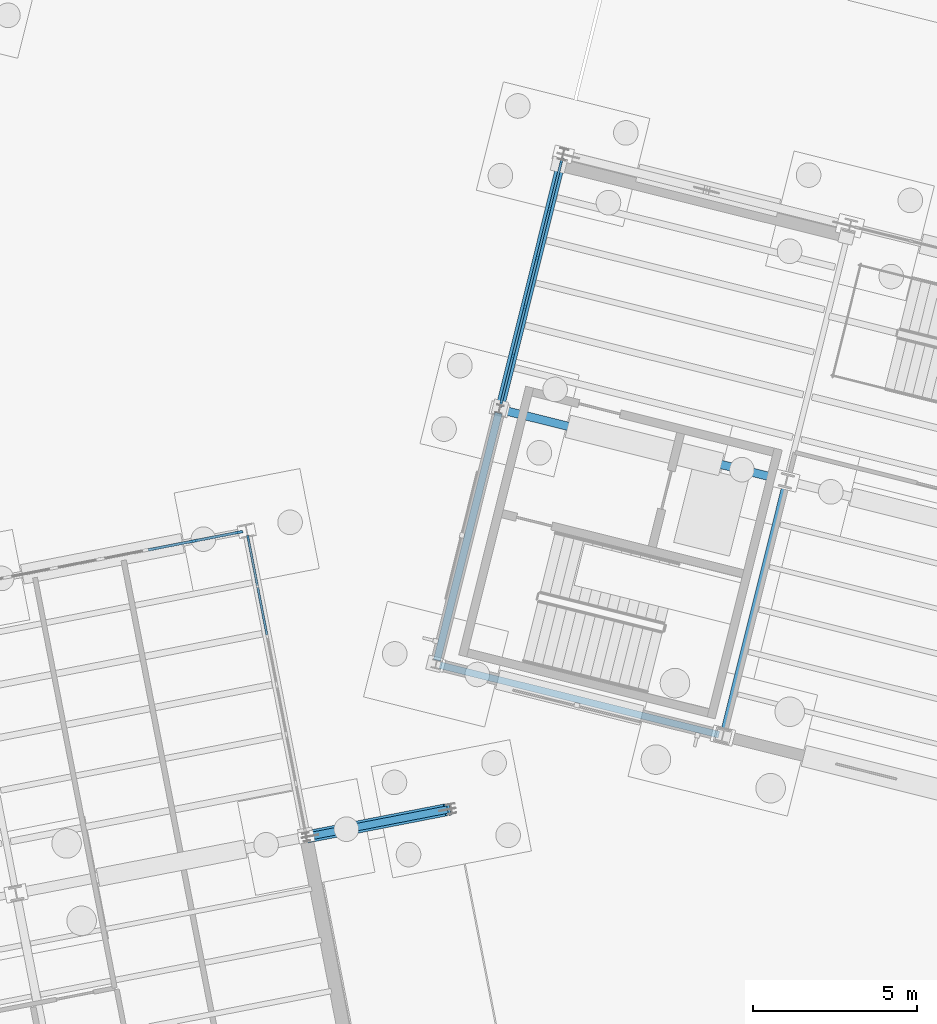
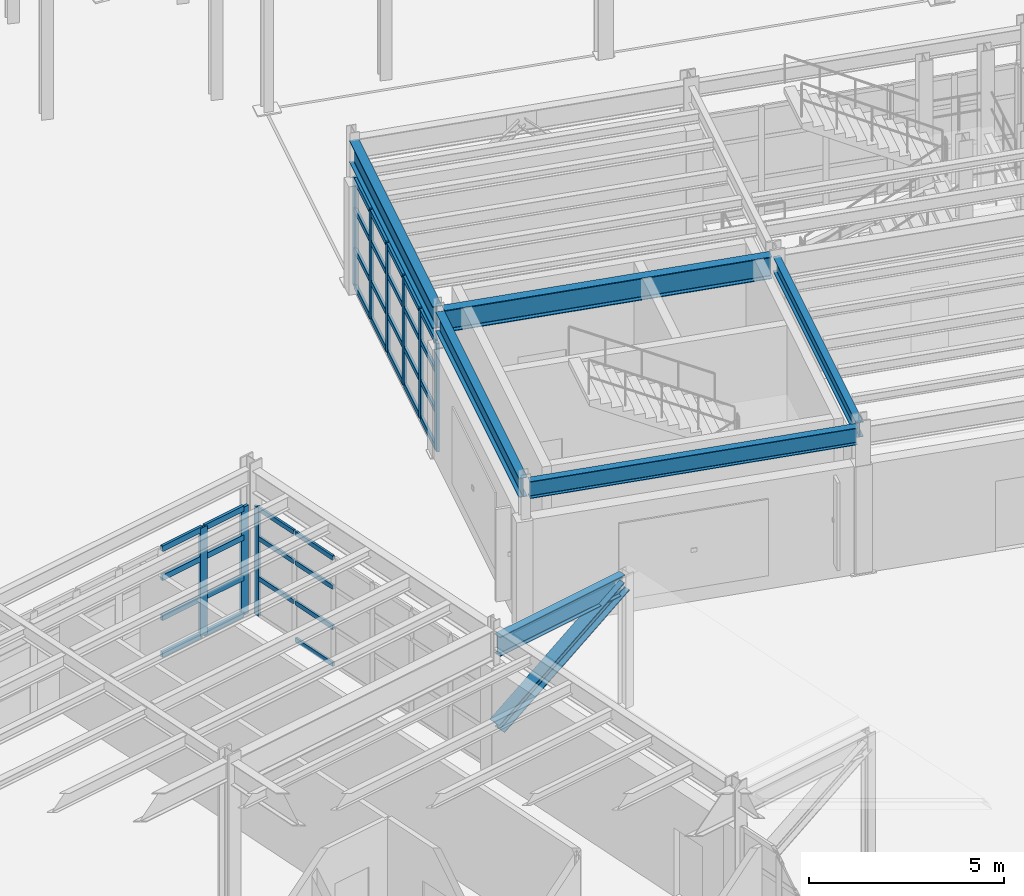
# One storey, part 39 of 108: 45 members, 6 beams, 3 elements without a shape of their own.
"""IFC4 building model written with IfcOpenShell, lengths in metres."""

from ifc_helpers import new_model, si_unit, direction, frame, origin, origin_2d, place, context, subcontext, project, spatial, rectangle, i_section, extrude, material, layer, layer_set, material_profile, profile_set, type_object, element, aggregate, save


model = new_model("IFC4")

# Units and contexts
model_context = context("Model", 3, precision=1e-05, world=origin(), true_north=direction((0.0, 1.0)))
body_context = subcontext(model_context, "Body", "Model", "MODEL_VIEW")
ifc_project = project(units=[si_unit("LENGTHUNIT", "METRE"), si_unit("AREAUNIT", "SQUARE_METRE"), si_unit("VOLUMEUNIT", "CUBIC_METRE"), si_unit("PLANEANGLEUNIT", "RADIAN"), si_unit("MASSUNIT", "GRAM", prefix="KILO")], contexts=[model_context])

# Site, building, storey
site_placement = place(None, origin())
site = spatial("IfcSite", under=ifc_project, at=site_placement, CompositionType="ELEMENT")
building_placement = place(site_placement, origin())
building = spatial("IfcBuilding", under=site, at=building_placement, Name="Vireo Bluff Cable Station", CompositionType="ELEMENT")
storey_placement = place(building_placement, origin())
storey = spatial("IfcBuildingStorey", under=building, at=storey_placement, Name="L00", CompositionType="ELEMENT", Elevation=0.0)

# Beam
ifc_material_1 = material(Name="Steel ASTM A992 Gr. 50", Category="steel")
ifc_material_profile_1 = material_profile(ifc_material_1, i_section(OverallWidth=0.193115234375, OverallDepth=0.467041015625, WebThickness=0.011474609375, FlangeThickness=0.01904296875, FilletRadius=0.011962890625, at=origin_2d()), Name="W18X65")
ifc_profile_set_1 = profile_set([ifc_material_profile_1], Name="Steel ASTM A992 Gr. 50")
beam_type_1 = type_object("IfcBeamType", Name="BM-W18X65", PredefinedType="BEAM", material=ifc_profile_set_1)
beam_1_placement = place(storey_placement, frame((62.76171875, 35.939208984375, 4.306396484375), z_axis=(0.241906346953, 0.970299602857, 0.0), x_axis=(-0.970299602857, 0.241906346953, 0.0)))
element("IfcBeam", 1, at=beam_1_placement, inside=storey, type_object=beam_type_1, Name="V1 L00 beam 12", PredefinedType="BEAM", context=body_context, shape_type="SweptSolid", body=[
    extrude(i_section(OverallWidth=0.193115234375, OverallDepth=0.467041015625, WebThickness=0.011474609375, FlangeThickness=0.01904296875, FilletRadius=0.011962890625, at=origin_2d()), origin(), (0.0, 0.0, 1.0), 7.760009765625),
])

# Curtain wall, member
ifc_material_2 = material(Name="Anodized Aluminium 6063-T6", Category="aluminium")
ifc_layer_1 = layer(ifc_material_2, 0.179931640625, Name="Anodized Aluminium 6063-T6")
ifc_layer_set_1 = layer_set([ifc_layer_1], Name="Anodized Aluminium 6063-T6")
curtain_wall_type_1 = type_object("IfcCurtainWallType", Name="CW-UNIT-1650", PredefinedType="USERDEFINED", material=ifc_layer_set_1)
curtain_wall_1_placement = place(storey_placement, origin())
curtain_wall_1 = element("IfcCurtainWall", 2, at=curtain_wall_1_placement, inside=storey, type_object=curtain_wall_type_1, Name="V5 L00 east curtain wall CW-116", ObjectType="UNITISED CURTAIN WALL", PredefinedType="USERDEFINED")
ifc_material_profile_2 = material_profile(ifc_material_2, rectangle(XDim=0.06494140625, YDim=0.179931640625, at=origin_2d()), Name="ALU-M-65X180")
ifc_profile_set_2 = profile_set([ifc_material_profile_2], Name="Anodized Aluminium 6063-T6")
member_type_1 = type_object("IfcMemberType", Name="CWM-01", PredefinedType="MULLION", material=ifc_profile_set_2)
member_1_placement = place(storey_placement, frame((48.27978515625, 41.8330078125, 0.0), z_axis=(0.0, 0.0, 1.0), x_axis=(0.981627180714, 0.190809009442, 0.0)))
member_1 = element("IfcMember", 3, at=member_1_placement, type_object=member_type_1, Name="CW-116 mullion 1", PredefinedType="MULLION", context=body_context, shape_type="SweptSolid", body=[
    extrude(rectangle(XDim=0.06494140625, YDim=0.179931640625, at=origin_2d()), origin(), (0.0, 0.0, 1.0), 3.39990234375),
])

# Curtain wall, members
ifc_layer_2 = layer(ifc_material_2, 0.179931640625, Name="Anodized Aluminium 6063-T6")
ifc_layer_set_2 = layer_set([ifc_layer_2], Name="Anodized Aluminium 6063-T6")
curtain_wall_type_2 = type_object("IfcCurtainWallType", Name="CW-UNIT-1500", PredefinedType="USERDEFINED", material=ifc_layer_set_2)
curtain_wall_2_placement = place(storey_placement, origin())
curtain_wall_2 = element("IfcCurtainWall", 4, at=curtain_wall_2_placement, inside=storey, type_object=curtain_wall_type_2, Name="V1 L00 west curtain wall CW-001", ObjectType="UNITISED CURTAIN WALL", PredefinedType="USERDEFINED")
ifc_material_profile_3 = material_profile(ifc_material_2, rectangle(XDim=0.074951171875, YDim=0.2099609375, at=origin_2d()), Name="ALU-M-75X210")
ifc_profile_set_3 = profile_set([ifc_material_profile_3], Name="Anodized Aluminium 6063-T6")
member_type_2 = type_object("IfcMemberType", Name="CWM-02", PredefinedType="MULLION", material=ifc_profile_set_3)
member_2_placement = place(storey_placement, frame((55.97607421875, 45.92529296875, 0.0), z_axis=(0.0, 0.0, 1.0), x_axis=(-0.970295739737, 0.241921841611, 0.0)))
member_2 = element("IfcMember", 5, at=member_2_placement, type_object=member_type_2, Name="CW-001 mullion 1", PredefinedType="MULLION", context=body_context, shape_type="SweptSolid", body=[
    extrude(rectangle(XDim=0.074951171875, YDim=0.2099609375, at=origin_2d()), origin(), (0.0, 0.0, 1.0), 3.39990234375),
])
member_3_placement = place(storey_placement, frame((56.339111328125, 47.381591796875, 0.0), z_axis=(0.0, 0.0, 1.0), x_axis=(-0.970295739737, 0.241921841611, 0.0)))
member_3 = element("IfcMember", 6, at=member_3_placement, type_object=member_type_2, Name="CW-001 mullion 2", PredefinedType="MULLION", context=body_context, shape_type="SweptSolid", body=[
    extrude(rectangle(XDim=0.074951171875, YDim=0.2099609375, at=origin_2d()), origin(), (0.0, 0.0, 1.0), 3.39990234375),
])
member_4_placement = place(storey_placement, frame((56.711181640625, 48.8740234375, 0.0), z_axis=(0.0, 0.0, 1.0), x_axis=(-0.970295739737, 0.241921841611, 0.0)))
member_4 = element("IfcMember", 7, at=member_4_placement, type_object=member_type_2, Name="CW-001 mullion 3", PredefinedType="MULLION", context=body_context, shape_type="SweptSolid", body=[
    extrude(rectangle(XDim=0.074951171875, YDim=0.2099609375, at=origin_2d()), origin(), (0.0, 0.0, 1.0), 3.39990234375),
])
member_5_placement = place(storey_placement, frame((57.083251953125, 50.366455078125, 0.0), z_axis=(0.0, 0.0, 1.0), x_axis=(-0.970295739737, 0.241921841611, 0.0)))
member_5 = element("IfcMember", 8, at=member_5_placement, type_object=member_type_2, Name="CW-001 mullion 4", PredefinedType="MULLION", context=body_context, shape_type="SweptSolid", body=[
    extrude(rectangle(XDim=0.074951171875, YDim=0.2099609375, at=origin_2d()), origin(), (0.0, 0.0, 1.0), 3.39990234375),
])
member_6_placement = place(storey_placement, frame((57.455322265625, 51.859130859375, 0.0), z_axis=(0.0, 0.0, 1.0), x_axis=(-0.970295739737, 0.241921841611, 0.0)))
member_6 = element("IfcMember", 9, at=member_6_placement, type_object=member_type_2, Name="CW-001 mullion 5", PredefinedType="MULLION", context=body_context, shape_type="SweptSolid", body=[
    extrude(rectangle(XDim=0.074951171875, YDim=0.2099609375, at=origin_2d()), origin(), (0.0, 0.0, 1.0), 3.39990234375),
])
member_7_placement = place(storey_placement, frame((57.818603515625, 53.315185546875, 0.0), z_axis=(0.0, 0.0, 1.0), x_axis=(-0.970295739737, 0.241921841611, 0.0)))
member_7 = element("IfcMember", 10, at=member_7_placement, type_object=member_type_2, Name="CW-001 mullion 6", PredefinedType="MULLION", context=body_context, shape_type="SweptSolid", body=[
    extrude(rectangle(XDim=0.074951171875, YDim=0.2099609375, at=origin_2d()), origin(), (0.0, 0.0, 1.0), 3.39990234375),
])

curtain_wall_3_placement = place(storey_placement, origin())
curtain_wall_3 = element("IfcCurtainWall", 11, at=curtain_wall_3_placement, inside=storey, type_object=curtain_wall_type_2, Name="V5 L00 north curtain wall CW-115", ObjectType="UNITISED CURTAIN WALL", PredefinedType="USERDEFINED")
ifc_material_profile_4 = material_profile(ifc_material_2, rectangle(XDim=0.080078125, YDim=0.239990234375, at=origin_2d()), Name="ALU-M-80X240")
ifc_profile_set_4 = profile_set([ifc_material_profile_4], Name="Anodized Aluminium 6063-T6")
member_type_3 = type_object("IfcMemberType", Name="CWM-04", PredefinedType="MULLION", material=ifc_profile_set_4)
member_8_placement = place(storey_placement, frame((46.618408203125, 41.74853515625, 0.0), z_axis=(0.0, 0.0, 1.0), x_axis=(-0.190809061234, 0.981627170646, 0.0)))
member_8 = element("IfcMember", 12, at=member_8_placement, type_object=member_type_3, Name="CW-115 mullion 6", PredefinedType="MULLION", context=body_context, shape_type="SweptSolid", body=[
    extrude(rectangle(XDim=0.080078125, YDim=0.239990234375, at=origin_2d()), origin(), (0.0, 0.0, 1.0), 3.39990234375),
])
member_9_placement = place(storey_placement, frame((47.9970703125, 42.0166015625, 0.0), z_axis=(0.0, 0.0, 1.0), x_axis=(-0.190809061234, 0.981627170646, 0.0)))
member_9 = element("IfcMember", 13, at=member_9_placement, type_object=member_type_3, Name="CW-115 mullion 7", PredefinedType="MULLION", context=body_context, shape_type="SweptSolid", body=[
    extrude(rectangle(XDim=0.080078125, YDim=0.239990234375, at=origin_2d()), origin(), (0.0, 0.0, 1.0), 3.39990234375),
])

# Member
ifc_material_profile_5 = material_profile(ifc_material_2, rectangle(XDim=0.06494140625, YDim=0.139892578125, at=origin_2d()), Name="ALU-T-65X140")
ifc_profile_set_5 = profile_set([ifc_material_profile_5], Name="Anodized Aluminium 6063-T6")
member_type_4 = type_object("IfcMemberType", Name="CWT-01", PredefinedType="USERDEFINED", material=ifc_profile_set_5)
member_10_placement = place(storey_placement, frame((48.2861328125, 41.80126953125, 1.18994140625), z_axis=(0.190796573453, -0.981629597943, 0.0), x_axis=(0.981629597943, 0.190796573453, 0.0)))
member_10 = element("IfcMember", 14, at=member_10_placement, type_object=member_type_4, Name="CW-116 transom 1.2", ObjectType="TRANSOM", PredefinedType="USERDEFINED", context=body_context, shape_type="SweptSolid", body=[
    extrude(rectangle(XDim=0.06494140625, YDim=0.139892578125, at=origin_2d()), origin(), (0.0, 0.0, 1.0), 1.4306640625),
])

member_11_placement = place(storey_placement, frame((48.2861328125, 41.80126953125, 2.447998046875), z_axis=(0.190796573453, -0.981629597943, 0.0), x_axis=(0.981629597943, 0.190796573453, 0.0)))
member_11 = element("IfcMember", 15, at=member_11_placement, type_object=member_type_4, Name="CW-116 transom 1.3", ObjectType="TRANSOM", PredefinedType="USERDEFINED", context=body_context, shape_type="SweptSolid", body=[
    extrude(rectangle(XDim=0.06494140625, YDim=0.139892578125, at=origin_2d()), origin(), (0.0, 0.0, 1.0), 1.4306640625),
])

member_12_placement = place(storey_placement, frame((48.2861328125, 41.80126953125, 3.367431640625), z_axis=(0.190796573453, -0.981629597943, 0.0), x_axis=(0.981629597943, 0.190796573453, 0.0)))
member_12 = element("IfcMember", 16, at=member_12_placement, type_object=member_type_4, Name="CW-116 transom 1.4", ObjectType="TRANSOM", PredefinedType="USERDEFINED", context=body_context, shape_type="SweptSolid", body=[
    extrude(rectangle(XDim=0.06494140625, YDim=0.139892578125, at=origin_2d()), origin(), (0.0, 0.0, 1.0), 1.4306640625),
])

member_13_placement = place(storey_placement, frame((48.5712890625, 40.333251953125, 0.032470703125), z_axis=(0.190883057173, -0.981612784393, 0.0), x_axis=(0.981612784393, 0.190883057173, 0.0)))
member_13 = element("IfcMember", 17, at=member_13_placement, type_object=member_type_4, Name="CW-116 transom 2.1", ObjectType="TRANSOM", PredefinedType="USERDEFINED", context=body_context, shape_type="SweptSolid", body=[
    extrude(rectangle(XDim=0.06494140625, YDim=0.139892578125, at=origin_2d()), origin(), (0.0, 0.0, 1.0), 1.463134765625),
])

member_14_placement = place(storey_placement, frame((48.5712890625, 40.333251953125, 1.18994140625), z_axis=(0.190883057173, -0.981612784393, 0.0), x_axis=(0.981612784393, 0.190883057173, 0.0)))
member_14 = element("IfcMember", 18, at=member_14_placement, type_object=member_type_4, Name="CW-116 transom 2.2", ObjectType="TRANSOM", PredefinedType="USERDEFINED", context=body_context, shape_type="SweptSolid", body=[
    extrude(rectangle(XDim=0.06494140625, YDim=0.139892578125, at=origin_2d()), origin(), (0.0, 0.0, 1.0), 1.463134765625),
])

member_15_placement = place(storey_placement, frame((48.5712890625, 40.333251953125, 2.447998046875), z_axis=(0.190883057173, -0.981612784393, 0.0), x_axis=(0.981612784393, 0.190883057173, 0.0)))
member_15 = element("IfcMember", 19, at=member_15_placement, type_object=member_type_4, Name="CW-116 transom 2.3", ObjectType="TRANSOM", PredefinedType="USERDEFINED", context=body_context, shape_type="SweptSolid", body=[
    extrude(rectangle(XDim=0.06494140625, YDim=0.139892578125, at=origin_2d()), origin(), (0.0, 0.0, 1.0), 1.463134765625),
])

member_16_placement = place(storey_placement, frame((48.5712890625, 40.333251953125, 3.367431640625), z_axis=(0.190883057173, -0.981612784393, 0.0), x_axis=(0.981612784393, 0.190883057173, 0.0)))
member_16 = element("IfcMember", 20, at=member_16_placement, type_object=member_type_4, Name="CW-116 transom 2.4", ObjectType="TRANSOM", PredefinedType="USERDEFINED", context=body_context, shape_type="SweptSolid", body=[
    extrude(rectangle(XDim=0.06494140625, YDim=0.139892578125, at=origin_2d()), origin(), (0.0, 0.0, 1.0), 1.463134765625),
])

aggregate(curtain_wall_1, [member_1, member_10, member_11, member_12, member_13, member_14, member_15, member_16])

ifc_material_profile_6 = material_profile(ifc_material_2, rectangle(XDim=0.074951171875, YDim=0.159912109375, at=origin_2d()), Name="ALU-T-75X160")
ifc_profile_set_6 = profile_set([ifc_material_profile_6], Name="Anodized Aluminium 6063-T6")
member_type_5 = type_object("IfcMemberType", Name="CWT-02", PredefinedType="USERDEFINED", material=ifc_profile_set_6)
member_17_placement = place(storey_placement, frame((55.985107421875, 45.961669921875, 0.03759765625), z_axis=(0.24193127855, 0.970293386796, 0.0), x_axis=(-0.970293386796, 0.24193127855, 0.0)))
member_17 = element("IfcMember", 21, at=member_17_placement, type_object=member_type_5, Name="CW-001 transom 1.1", ObjectType="TRANSOM", PredefinedType="USERDEFINED", context=body_context, shape_type="SweptSolid", body=[
    extrude(rectangle(XDim=0.074951171875, YDim=0.159912109375, at=origin_2d()), origin(), (0.0, 0.0, 1.0), 1.426025390625),
])

member_18_placement = place(storey_placement, frame((55.985107421875, 45.961669921875, 1.18994140625), z_axis=(0.24193127855, 0.970293386796, 0.0), x_axis=(-0.970293386796, 0.24193127855, 0.0)))
member_18 = element("IfcMember", 22, at=member_18_placement, type_object=member_type_5, Name="CW-001 transom 1.2", ObjectType="TRANSOM", PredefinedType="USERDEFINED", context=body_context, shape_type="SweptSolid", body=[
    extrude(rectangle(XDim=0.074951171875, YDim=0.159912109375, at=origin_2d()), origin(), (0.0, 0.0, 1.0), 1.426025390625),
])

member_19_placement = place(storey_placement, frame((55.985107421875, 45.961669921875, 2.447998046875), z_axis=(0.24193127855, 0.970293386796, 0.0), x_axis=(-0.970293386796, 0.24193127855, 0.0)))
member_19 = element("IfcMember", 23, at=member_19_placement, type_object=member_type_5, Name="CW-001 transom 1.3", ObjectType="TRANSOM", PredefinedType="USERDEFINED", context=body_context, shape_type="SweptSolid", body=[
    extrude(rectangle(XDim=0.074951171875, YDim=0.159912109375, at=origin_2d()), origin(), (0.0, 0.0, 1.0), 1.426025390625),
])

member_20_placement = place(storey_placement, frame((55.985107421875, 45.961669921875, 3.362548828125), z_axis=(0.24193127855, 0.970293386796, 0.0), x_axis=(-0.970293386796, 0.24193127855, 0.0)))
member_20 = element("IfcMember", 24, at=member_20_placement, type_object=member_type_5, Name="CW-001 transom 1.4", ObjectType="TRANSOM", PredefinedType="USERDEFINED", context=body_context, shape_type="SweptSolid", body=[
    extrude(rectangle(XDim=0.074951171875, YDim=0.159912109375, at=origin_2d()), origin(), (0.0, 0.0, 1.0), 1.426025390625),
])

member_21_placement = place(storey_placement, frame((56.34814453125, 47.41796875, 0.03759765625), z_axis=(0.241946663521, 0.970289550604, 0.0), x_axis=(-0.970289550604, 0.241946663521, 0.0)))
member_21 = element("IfcMember", 25, at=member_21_placement, type_object=member_type_5, Name="CW-001 transom 2.1", ObjectType="TRANSOM", PredefinedType="USERDEFINED", context=body_context, shape_type="SweptSolid", body=[
    extrude(rectangle(XDim=0.074951171875, YDim=0.159912109375, at=origin_2d()), origin(), (0.0, 0.0, 1.0), 1.463134765625),
])

member_22_placement = place(storey_placement, frame((56.34814453125, 47.41796875, 1.18994140625), z_axis=(0.241946663521, 0.970289550604, 0.0), x_axis=(-0.970289550604, 0.241946663521, 0.0)))
member_22 = element("IfcMember", 26, at=member_22_placement, type_object=member_type_5, Name="CW-001 transom 2.2", ObjectType="TRANSOM", PredefinedType="USERDEFINED", context=body_context, shape_type="SweptSolid", body=[
    extrude(rectangle(XDim=0.074951171875, YDim=0.159912109375, at=origin_2d()), origin(), (0.0, 0.0, 1.0), 1.463134765625),
])

member_23_placement = place(storey_placement, frame((56.34814453125, 47.41796875, 2.447998046875), z_axis=(0.241946663521, 0.970289550604, 0.0), x_axis=(-0.970289550604, 0.241946663521, 0.0)))
member_23 = element("IfcMember", 27, at=member_23_placement, type_object=member_type_5, Name="CW-001 transom 2.3", ObjectType="TRANSOM", PredefinedType="USERDEFINED", context=body_context, shape_type="SweptSolid", body=[
    extrude(rectangle(XDim=0.074951171875, YDim=0.159912109375, at=origin_2d()), origin(), (0.0, 0.0, 1.0), 1.463134765625),
])

member_24_placement = place(storey_placement, frame((56.34814453125, 47.41796875, 3.362548828125), z_axis=(0.241946663521, 0.970289550604, 0.0), x_axis=(-0.970289550604, 0.241946663521, 0.0)))
member_24 = element("IfcMember", 28, at=member_24_placement, type_object=member_type_5, Name="CW-001 transom 2.4", ObjectType="TRANSOM", PredefinedType="USERDEFINED", context=body_context, shape_type="SweptSolid", body=[
    extrude(rectangle(XDim=0.074951171875, YDim=0.159912109375, at=origin_2d()), origin(), (0.0, 0.0, 1.0), 1.463134765625),
])

member_25_placement = place(storey_placement, frame((56.72021484375, 48.910400390625, 0.03759765625), z_axis=(0.241946663521, 0.970289550604, 0.0), x_axis=(-0.970289550604, 0.241946663521, 0.0)))
member_25 = element("IfcMember", 29, at=member_25_placement, type_object=member_type_5, Name="CW-001 transom 3.1", ObjectType="TRANSOM", PredefinedType="USERDEFINED", context=body_context, shape_type="SweptSolid", body=[
    extrude(rectangle(XDim=0.074951171875, YDim=0.159912109375, at=origin_2d()), origin(), (0.0, 0.0, 1.0), 1.463134765625),
])

member_26_placement = place(storey_placement, frame((56.72021484375, 48.910400390625, 1.18994140625), z_axis=(0.241946663521, 0.970289550604, 0.0), x_axis=(-0.970289550604, 0.241946663521, 0.0)))
member_26 = element("IfcMember", 30, at=member_26_placement, type_object=member_type_5, Name="CW-001 transom 3.2", ObjectType="TRANSOM", PredefinedType="USERDEFINED", context=body_context, shape_type="SweptSolid", body=[
    extrude(rectangle(XDim=0.074951171875, YDim=0.159912109375, at=origin_2d()), origin(), (0.0, 0.0, 1.0), 1.463134765625),
])

member_27_placement = place(storey_placement, frame((56.72021484375, 48.910400390625, 2.447998046875), z_axis=(0.241946663521, 0.970289550604, 0.0), x_axis=(-0.970289550604, 0.241946663521, 0.0)))
member_27 = element("IfcMember", 31, at=member_27_placement, type_object=member_type_5, Name="CW-001 transom 3.3", ObjectType="TRANSOM", PredefinedType="USERDEFINED", context=body_context, shape_type="SweptSolid", body=[
    extrude(rectangle(XDim=0.074951171875, YDim=0.159912109375, at=origin_2d()), origin(), (0.0, 0.0, 1.0), 1.463134765625),
])

member_28_placement = place(storey_placement, frame((56.72021484375, 48.910400390625, 3.362548828125), z_axis=(0.241946663521, 0.970289550604, 0.0), x_axis=(-0.970289550604, 0.241946663521, 0.0)))
member_28 = element("IfcMember", 32, at=member_28_placement, type_object=member_type_5, Name="CW-001 transom 3.4", ObjectType="TRANSOM", PredefinedType="USERDEFINED", context=body_context, shape_type="SweptSolid", body=[
    extrude(rectangle(XDim=0.074951171875, YDim=0.159912109375, at=origin_2d()), origin(), (0.0, 0.0, 1.0), 1.463134765625),
])

member_29_placement = place(storey_placement, frame((57.09228515625, 50.40283203125, 0.03759765625), z_axis=(0.241907497946, 0.970299315901, 0.0), x_axis=(-0.970299315901, 0.241907497946, 0.0)))
member_29 = element("IfcMember", 33, at=member_29_placement, type_object=member_type_5, Name="CW-001 transom 4.1", ObjectType="TRANSOM", PredefinedType="USERDEFINED", context=body_context, shape_type="SweptSolid", body=[
    extrude(rectangle(XDim=0.074951171875, YDim=0.159912109375, at=origin_2d()), origin(), (0.0, 0.0, 1.0), 1.46337890625),
])

member_30_placement = place(storey_placement, frame((57.09228515625, 50.40283203125, 1.18994140625), z_axis=(0.241907497946, 0.970299315901, 0.0), x_axis=(-0.970299315901, 0.241907497946, 0.0)))
member_30 = element("IfcMember", 34, at=member_30_placement, type_object=member_type_5, Name="CW-001 transom 4.2", ObjectType="TRANSOM", PredefinedType="USERDEFINED", context=body_context, shape_type="SweptSolid", body=[
    extrude(rectangle(XDim=0.074951171875, YDim=0.159912109375, at=origin_2d()), origin(), (0.0, 0.0, 1.0), 1.46337890625),
])

member_31_placement = place(storey_placement, frame((57.09228515625, 50.40283203125, 2.447998046875), z_axis=(0.241907497946, 0.970299315901, 0.0), x_axis=(-0.970299315901, 0.241907497946, 0.0)))
member_31 = element("IfcMember", 35, at=member_31_placement, type_object=member_type_5, Name="CW-001 transom 4.3", ObjectType="TRANSOM", PredefinedType="USERDEFINED", context=body_context, shape_type="SweptSolid", body=[
    extrude(rectangle(XDim=0.074951171875, YDim=0.159912109375, at=origin_2d()), origin(), (0.0, 0.0, 1.0), 1.46337890625),
])

member_32_placement = place(storey_placement, frame((57.09228515625, 50.40283203125, 3.362548828125), z_axis=(0.241907497946, 0.970299315901, 0.0), x_axis=(-0.970299315901, 0.241907497946, 0.0)))
member_32 = element("IfcMember", 36, at=member_32_placement, type_object=member_type_5, Name="CW-001 transom 4.4", ObjectType="TRANSOM", PredefinedType="USERDEFINED", context=body_context, shape_type="SweptSolid", body=[
    extrude(rectangle(XDim=0.074951171875, YDim=0.159912109375, at=origin_2d()), origin(), (0.0, 0.0, 1.0), 1.46337890625),
])

member_33_placement = place(storey_placement, frame((57.464599609375, 51.8955078125, 0.03759765625), z_axis=(0.241810247396, 0.970323556477, 0.0), x_axis=(-0.970323556477, 0.241810247396, 0.0)))
member_33 = element("IfcMember", 37, at=member_33_placement, type_object=member_type_5, Name="CW-001 transom 5.1", ObjectType="TRANSOM", PredefinedType="USERDEFINED", context=body_context, shape_type="SweptSolid", body=[
    extrude(rectangle(XDim=0.074951171875, YDim=0.159912109375, at=origin_2d()), origin(), (0.0, 0.0, 1.0), 1.425537109375),
])

member_34_placement = place(storey_placement, frame((57.464599609375, 51.8955078125, 1.18994140625), z_axis=(0.241810247396, 0.970323556477, 0.0), x_axis=(-0.970323556477, 0.241810247396, 0.0)))
member_34 = element("IfcMember", 38, at=member_34_placement, type_object=member_type_5, Name="CW-001 transom 5.2", ObjectType="TRANSOM", PredefinedType="USERDEFINED", context=body_context, shape_type="SweptSolid", body=[
    extrude(rectangle(XDim=0.074951171875, YDim=0.159912109375, at=origin_2d()), origin(), (0.0, 0.0, 1.0), 1.425537109375),
])

member_35_placement = place(storey_placement, frame((57.464599609375, 51.8955078125, 2.447998046875), z_axis=(0.241810247396, 0.970323556477, 0.0), x_axis=(-0.970323556477, 0.241810247396, 0.0)))
member_35 = element("IfcMember", 39, at=member_35_placement, type_object=member_type_5, Name="CW-001 transom 5.3", ObjectType="TRANSOM", PredefinedType="USERDEFINED", context=body_context, shape_type="SweptSolid", body=[
    extrude(rectangle(XDim=0.074951171875, YDim=0.159912109375, at=origin_2d()), origin(), (0.0, 0.0, 1.0), 1.425537109375),
])

member_36_placement = place(storey_placement, frame((57.464599609375, 51.8955078125, 3.362548828125), z_axis=(0.241810247396, 0.970323556477, 0.0), x_axis=(-0.970323556477, 0.241810247396, 0.0)))
member_36 = element("IfcMember", 40, at=member_36_placement, type_object=member_type_5, Name="CW-001 transom 5.4", ObjectType="TRANSOM", PredefinedType="USERDEFINED", context=body_context, shape_type="SweptSolid", body=[
    extrude(rectangle(XDim=0.074951171875, YDim=0.159912109375, at=origin_2d()), origin(), (0.0, 0.0, 1.0), 1.425537109375),
])

aggregate(curtain_wall_2, [member_2, member_3, member_4, member_5, member_6, member_7, member_17, member_18, member_19, member_20, member_21, member_22, member_23, member_24, member_25, member_26, member_27, member_28, member_29, member_30, member_31, member_32, member_33, member_34, member_35, member_36])

ifc_material_profile_7 = material_profile(ifc_material_2, rectangle(XDim=0.080078125, YDim=0.175048828125, at=origin_2d()), Name="ALU-T-80X175")
ifc_profile_set_7 = profile_set([ifc_material_profile_7], Name="Anodized Aluminium 6063-T6")
member_type_6 = type_object("IfcMemberType", Name="CWT-04", PredefinedType="USERDEFINED", material=ifc_profile_set_7)
member_37_placement = place(storey_placement, frame((45.23974609375, 41.48046875, 0.0400390625), z_axis=(0.981606076195, 0.190917550729, 0.0), x_axis=(-0.190917550729, 0.981606076195, 0.0)))
member_37 = element("IfcMember", 41, at=member_37_placement, type_object=member_type_6, Name="CW-115 transom 5.1", ObjectType="TRANSOM", PredefinedType="USERDEFINED", context=body_context, shape_type="SweptSolid", body=[
    extrude(rectangle(XDim=0.080078125, YDim=0.175048828125, at=origin_2d()), origin(), (0.0, 0.0, 1.0), 1.364501953125),
])

member_38_placement = place(storey_placement, frame((45.23974609375, 41.48046875, 1.18994140625), z_axis=(0.981606076195, 0.190917550729, 0.0), x_axis=(-0.190917550729, 0.981606076195, 0.0)))
member_38 = element("IfcMember", 42, at=member_38_placement, type_object=member_type_6, Name="CW-115 transom 5.2", ObjectType="TRANSOM", PredefinedType="USERDEFINED", context=body_context, shape_type="SweptSolid", body=[
    extrude(rectangle(XDim=0.080078125, YDim=0.175048828125, at=origin_2d()), origin(), (0.0, 0.0, 1.0), 1.364501953125),
])

member_39_placement = place(storey_placement, frame((45.23974609375, 41.48046875, 2.447998046875), z_axis=(0.981606076195, 0.190917550729, 0.0), x_axis=(-0.190917550729, 0.981606076195, 0.0)))
member_39 = element("IfcMember", 43, at=member_39_placement, type_object=member_type_6, Name="CW-115 transom 5.3", ObjectType="TRANSOM", PredefinedType="USERDEFINED", context=body_context, shape_type="SweptSolid", body=[
    extrude(rectangle(XDim=0.080078125, YDim=0.175048828125, at=origin_2d()), origin(), (0.0, 0.0, 1.0), 1.364501953125),
])

member_40_placement = place(storey_placement, frame((45.23974609375, 41.48046875, 3.360107421875), z_axis=(0.981606076195, 0.190917550729, 0.0), x_axis=(-0.190917550729, 0.981606076195, 0.0)))
member_40 = element("IfcMember", 44, at=member_40_placement, type_object=member_type_6, Name="CW-115 transom 5.4", ObjectType="TRANSOM", PredefinedType="USERDEFINED", context=body_context, shape_type="SweptSolid", body=[
    extrude(rectangle(XDim=0.080078125, YDim=0.175048828125, at=origin_2d()), origin(), (0.0, 0.0, 1.0), 1.364501953125),
])

member_41_placement = place(storey_placement, frame((46.65771484375, 41.756103515625, 0.0400390625), z_axis=(0.981629778016, 0.190795646995, 0.0), x_axis=(-0.190795646995, 0.981629778016, 0.0)))
member_41 = element("IfcMember", 45, at=member_41_placement, type_object=member_type_6, Name="CW-115 transom 6.1", ObjectType="TRANSOM", PredefinedType="USERDEFINED", context=body_context, shape_type="SweptSolid", body=[
    extrude(rectangle(XDim=0.080078125, YDim=0.175048828125, at=origin_2d()), origin(), (0.0, 0.0, 1.0), 1.324462890625),
])

member_42_placement = place(storey_placement, frame((46.65771484375, 41.756103515625, 1.18994140625), z_axis=(0.981629778016, 0.190795646995, 0.0), x_axis=(-0.190795646995, 0.981629778016, 0.0)))
member_42 = element("IfcMember", 46, at=member_42_placement, type_object=member_type_6, Name="CW-115 transom 6.2", ObjectType="TRANSOM", PredefinedType="USERDEFINED", context=body_context, shape_type="SweptSolid", body=[
    extrude(rectangle(XDim=0.080078125, YDim=0.175048828125, at=origin_2d()), origin(), (0.0, 0.0, 1.0), 1.324462890625),
])

member_43_placement = place(storey_placement, frame((46.65771484375, 41.756103515625, 2.447998046875), z_axis=(0.981629778016, 0.190795646995, 0.0), x_axis=(-0.190795646995, 0.981629778016, 0.0)))
member_43 = element("IfcMember", 47, at=member_43_placement, type_object=member_type_6, Name="CW-115 transom 6.3", ObjectType="TRANSOM", PredefinedType="USERDEFINED", context=body_context, shape_type="SweptSolid", body=[
    extrude(rectangle(XDim=0.080078125, YDim=0.175048828125, at=origin_2d()), origin(), (0.0, 0.0, 1.0), 1.324462890625),
])

member_44_placement = place(storey_placement, frame((46.65771484375, 41.756103515625, 3.360107421875), z_axis=(0.981629778016, 0.190795646995, 0.0), x_axis=(-0.190795646995, 0.981629778016, 0.0)))
member_44 = element("IfcMember", 48, at=member_44_placement, type_object=member_type_6, Name="CW-115 transom 6.4", ObjectType="TRANSOM", PredefinedType="USERDEFINED", context=body_context, shape_type="SweptSolid", body=[
    extrude(rectangle(XDim=0.080078125, YDim=0.175048828125, at=origin_2d()), origin(), (0.0, 0.0, 1.0), 1.324462890625),
])

aggregate(curtain_wall_3, [member_8, member_9, member_37, member_38, member_39, member_40, member_41, member_42, member_43, member_44])

# Beams
ifc_material_profile_8 = material_profile(ifc_material_1, i_section(OverallWidth=0.257080078125, OverallDepth=0.693115234375, WebThickness=0.014404296875, FlangeThickness=0.023681640625, FilletRadius=0.014892578125, at=origin_2d()), Name="W27X114")
ifc_profile_set_8 = profile_set([ifc_material_profile_8], Name="Steel ASTM A992 Gr. 50")
beam_type_2 = type_object("IfcBeamType", Name="GIR-W27X114", PredefinedType="USERDEFINED", material=ifc_profile_set_8)
beam_2_placement = place(storey_placement, frame((56.0517578125, 45.7333984375, 4.193603515625), z_axis=(0.970291502693, -0.241938834838, 0.0), x_axis=(0.241938834838, 0.970291502693, 0.0)))
element("IfcBeam", 49, at=beam_2_placement, inside=storey, type_object=beam_type_2, Name="V1 L00 girder 4", ObjectType="GIRDER", PredefinedType="USERDEFINED", context=body_context, shape_type="SweptSolid", body=[
    extrude(i_section(OverallWidth=0.257080078125, OverallDepth=0.693115234375, WebThickness=0.014404296875, FlangeThickness=0.023681640625, FilletRadius=0.014892578125, at=origin_2d()), origin(), (0.0, 0.0, 1.0), 8.760009765625),
])
ifc_material_profile_9 = material_profile(ifc_material_1, i_section(OverallWidth=0.2099609375, OverallDepth=0.535888671875, WebThickness=0.010986328125, FlangeThickness=0.017333984375, FilletRadius=0.012939453125, at=origin_2d()), Name="W21X68")
ifc_profile_set_9 = profile_set([ifc_material_profile_9], Name="Steel ASTM A992 Gr. 50")
beam_type_3 = type_object("IfcBeamType", Name="SPN-W21X68", PredefinedType="SPANDREL", material=ifc_profile_set_9)
beam_3_placement = place(storey_placement, frame((54.116455078125, 37.970947265625, 4.27197265625), z_axis=(0.970298044881, -0.241912595995, 0.0), x_axis=(0.241912595995, 0.970298044881, 0.0)))
element("IfcBeam", 50, at=beam_3_placement, inside=storey, type_object=beam_type_3, Name="V1 L00 spandrel 1", PredefinedType="SPANDREL", context=body_context, shape_type="SweptSolid", body=[
    extrude(i_section(OverallWidth=0.2099609375, OverallDepth=0.535888671875, WebThickness=0.010986328125, FlangeThickness=0.017333984375, FilletRadius=0.012939453125, at=origin_2d()), origin(), (0.0, 0.0, 1.0), 8.760009765625),
])
ifc_material_profile_10 = material_profile(ifc_material_1, i_section(OverallWidth=0.22802734375, OverallDepth=0.60693359375, WebThickness=0.01123046875, FlangeThickness=0.017333984375, FilletRadius=0.012939453125, at=origin_2d()), Name="W24X76")
ifc_profile_set_10 = profile_set([ifc_material_profile_10], Name="Steel ASTM A992 Gr. 50")
beam_type_4 = type_object("IfcBeamType", Name="SPN-W24X76", PredefinedType="SPANDREL", material=ifc_profile_set_10)
beam_4_placement = place(storey_placement, frame((54.029052734375, 38.116455078125, 4.236572265625), z_axis=(0.241906346953, 0.970299602857, 0.0), x_axis=(-0.970299602857, 0.241906346953, 0.0)))
element("IfcBeam", 51, at=beam_4_placement, inside=storey, type_object=beam_type_4, Name="V1 L00 spandrel 10", PredefinedType="SPANDREL", context=body_context, shape_type="SweptSolid", body=[
    extrude(i_section(OverallWidth=0.22802734375, OverallDepth=0.60693359375, WebThickness=0.01123046875, FlangeThickness=0.017333984375, FilletRadius=0.012939453125, at=origin_2d()), origin(), (0.0, 0.0, 1.0), 7.760009765625),
])
beam_5_placement = place(storey_placement, frame((50.16552734375, 32.76025390625, 3.889892578125), z_axis=(0.981632982751, 0.190779158128, 0.0), x_axis=(-0.190779158128, 0.981632982751, 0.0)))
element("IfcBeam", 52, at=beam_5_placement, inside=storey, type_object=beam_type_4, Name="Plaza canopy beam 3", PredefinedType="SPANDREL", context=body_context, shape_type="SweptSolid", body=[
    extrude(i_section(OverallWidth=0.22802734375, OverallDepth=0.60693359375, WebThickness=0.01123046875, FlangeThickness=0.017333984375, FilletRadius=0.012939453125, at=origin_2d()), origin(), (0.0, 0.0, 1.0), 4.260009765625),
])
ifc_material_profile_11 = material_profile(ifc_material_1, i_section(OverallWidth=0.257080078125, OverallDepth=0.693115234375, WebThickness=0.014404296875, FlangeThickness=0.023681640625, FilletRadius=0.014892578125, at=origin_2d()), Name="W27X114")
ifc_profile_set_11 = profile_set([ifc_material_profile_11], Name="Steel ASTM A992 Gr. 50")
beam_type_5 = type_object("IfcBeamType", Name="SPN-W27X114", PredefinedType="SPANDREL", material=ifc_profile_set_11)
beam_6_placement = place(storey_placement, frame((55.96435546875, 45.87890625, 4.193603515625), z_axis=(0.241943352562, 0.970290376203, 0.0), x_axis=(-0.970290376203, 0.241943352562, 0.0)))
element("IfcBeam", 53, at=beam_6_placement, inside=storey, type_object=beam_type_5, Name="V1 L00 spandrel 11", PredefinedType="SPANDREL", context=body_context, shape_type="SweptSolid", body=[
    extrude(i_section(OverallWidth=0.257080078125, OverallDepth=0.693115234375, WebThickness=0.014404296875, FlangeThickness=0.023681640625, FilletRadius=0.014892578125, at=origin_2d()), origin(), (0.0, 0.0, 1.0), 7.759765625),
])

# Member
ifc_material_profile_12 = material_profile(ifc_material_1, i_section(OverallWidth=0.373046875, OverallDepth=0.367919921875, WebThickness=0.014892578125, FlangeThickness=0.02392578125, FilletRadius=0.014892578125, at=origin_2d()), Name="W14X120")
ifc_profile_set_12 = profile_set([ifc_material_profile_12], Name="Steel ASTM A992 Gr. 50")
member_type_7 = type_object("IfcMemberType", Name="STR-04", PredefinedType="STRUT", material=ifc_profile_set_12)
member_45_placement = place(storey_placement, frame((50.16552734375, 32.76025390625, 1.35009765625), z_axis=(0.844881900302, 0.164201754107, 0.509129019494), x_axis=(-0.190779158128, 0.981632982751, 0.0)))
element("IfcMember", 54, at=member_45_placement, inside=storey, type_object=member_type_7, Name="Plaza canopy raking strut 3", PredefinedType="STRUT", context=body_context, shape_type="SweptSolid", body=[
    extrude(i_section(OverallWidth=0.373046875, OverallDepth=0.367919921875, WebThickness=0.014892578125, FlangeThickness=0.02392578125, FilletRadius=0.014892578125, at=origin_2d()), origin(), (0.0, 0.0, 1.0), 4.94970703125),
])

save(model, "model.ifc")
